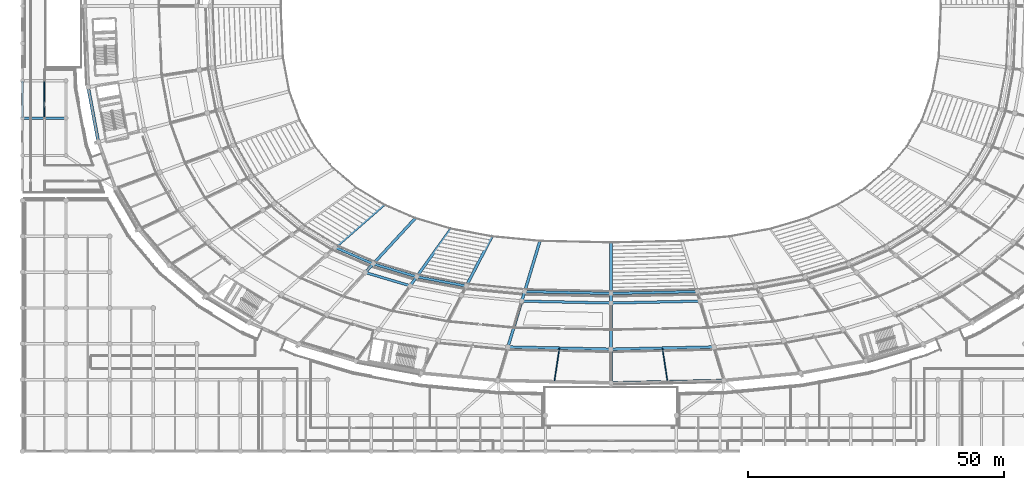
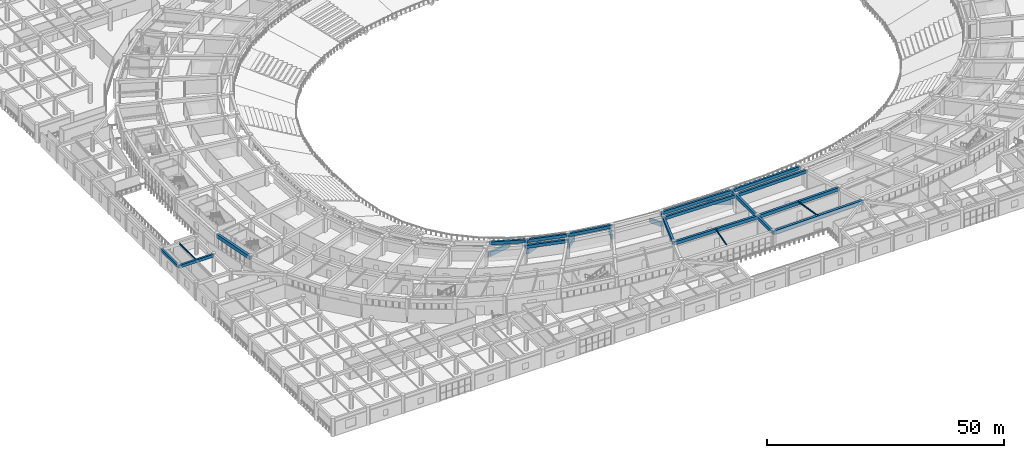
# One storey, part 25 of 152: 30 beams.
"""IFC4 building model written with IfcOpenShell, lengths in metres."""

from ifc_helpers import new_model, si_unit, direction, frame, origin, origin_2d, place, context, subcontext, project, spatial, rectangle, i_section, extrude, material, material_profile, profile_set, type_object, element, save


model = new_model("IFC4")

# Units and contexts
model_context = context("Model", 3, precision=1e-05, world=origin(), true_north=direction((0.0, 1.0)))
body_context = subcontext(model_context, "Body", "Model", "MODEL_VIEW")
ifc_project = project(units=[si_unit("LENGTHUNIT", "METRE"), si_unit("AREAUNIT", "SQUARE_METRE"), si_unit("VOLUMEUNIT", "CUBIC_METRE"), si_unit("PLANEANGLEUNIT", "RADIAN"), si_unit("MASSUNIT", "GRAM", prefix="KILO")], contexts=[model_context])

# Site, building, storey
site_placement = place(None, origin())
site = spatial("IfcSite", under=ifc_project, at=site_placement, CompositionType="ELEMENT")
building_placement = place(site_placement, origin())
building = spatial("IfcBuilding", under=site, at=building_placement, Name="Mphavela Belvedere Stadium", CompositionType="ELEMENT")
storey_placement = place(building_placement, frame((0.0, 0.0, 5.39990234375)))
storey = spatial("IfcBuildingStorey", under=building, at=storey_placement, Name="L01", CompositionType="ELEMENT", Elevation=5.39990234375)

# Beams
ifc_material_1 = material(Name="Concrete C40/50", Category="concrete")
ifc_material_profile_1 = material_profile(ifc_material_1, rectangle(XDim=0.60009765625, YDim=0.949951171875, at=origin_2d()), Name="RC 600x950")
ifc_profile_set_1 = profile_set([ifc_material_profile_1], Name="Concrete C40/50")
beam_type_1 = type_object("IfcBeamType", Name="BM-ENTABLATURE-950", PredefinedType="SPANDREL", material=ifc_profile_set_1)
beam_1_placement = place(storey_placement, frame((12.844482421875, 71.155029296875, 4.0751953125), z_axis=(0.18264260648, -0.983179372393, 0.0), x_axis=(0.983179372393, 0.18264260648, 0.0)))
element("IfcBeam", 1, at=beam_1_placement, inside=storey, type_object=beam_type_1, Name="Circumferential girder L01 R4-26", PredefinedType="SPANDREL", context=body_context, shape_type="SweptSolid", body=[
    extrude(rectangle(XDim=0.60009765625, YDim=0.949951171875, at=origin_2d()), origin(), (0.0, 0.0, 1.0), 10.90087890625),
])
beam_2_placement = place(storey_placement, frame((115.0, 13.330078125, 4.0751953125), z_axis=(0.999768359718, 0.021522706765, 0.0), x_axis=(-0.021522706765, 0.999768359718, 0.0)))
element("IfcBeam", 2, at=beam_2_placement, inside=storey, type_object=beam_type_1, Name="Circumferential girder L01 R4-37", PredefinedType="SPANDREL", context=body_context, shape_type="SweptSolid", body=[
    extrude(rectangle(XDim=0.60009765625, YDim=0.949951171875, at=origin_2d()), origin(), (0.0, 0.0, 1.0), 22.11962890625),
])
ifc_material_2 = material(Name="Steel S355", Category="steel")
ifc_material_profile_2 = material_profile(ifc_material_2, i_section(OverallWidth=0.169921875, OverallDepth=0.360107421875, WebThickness=0.008056640625, FlangeThickness=0.0126953125, at=origin_2d()), Name="IPE 360")
ifc_profile_set_2 = profile_set([ifc_material_profile_2], Name="Steel S355")
beam_type_2 = type_object("IfcBeamType", Name="BM-JOIST-IPE360", PredefinedType="JOIST", material=ifc_profile_set_2)
beam_3_placement = place(storey_placement, frame((125.06640625, 20.1494140625, 4.3701171875), z_axis=(0.14889470473, -0.988853056274, 0.0), x_axis=(0.988853056274, 0.14889470473, 0.0)))
element("IfcBeam", 3, at=beam_3_placement, inside=storey, type_object=beam_type_2, Name="Concourse floor joist L01-37", PredefinedType="JOIST", context=body_context, shape_type="SweptSolid", body=[
    extrude(i_section(OverallWidth=0.169921875, OverallDepth=0.360107421875, WebThickness=0.008056640625, FlangeThickness=0.0126953125, at=origin_2d()), origin(), (0.0, 0.0, 1.0), 6.655517578125),
])
beam_4_placement = place(storey_placement, frame((4.25, 65.324951171875, 4.360107421875), z_axis=(0.0, 1.0, 0.0), x_axis=(-1.0, 0.0, 0.0)))
element("IfcBeam", 4, at=beam_4_placement, inside=storey, type_object=beam_type_2, Name="West Planted Eaves Peristyle Colonnade secondary joist L01 1-3", PredefinedType="JOIST", context=body_context, shape_type="SweptSolid", body=[
    extrude(i_section(OverallWidth=0.169921875, OverallDepth=0.360107421875, WebThickness=0.008056640625, FlangeThickness=0.0126953125, at=origin_2d()), origin(), (0.0, 0.0, 1.0), 6.85009765625),
])
ifc_material_3 = material(Name="Steel S355", Category="steel")
ifc_material_profile_3 = material_profile(ifc_material_3, i_section(OverallWidth=0.179931640625, OverallDepth=0.39990234375, WebThickness=0.008544921875, FlangeThickness=0.013427734375, at=origin_2d()), Name="IPE 400")
ifc_profile_set_3 = profile_set([ifc_material_profile_3], Name="Steel S355")
beam_type_3 = type_object("IfcBeamType", Name="BM-JOIST-IPE400", PredefinedType="JOIST", material=ifc_profile_set_3)
beam_5_placement = place(storey_placement, frame((104.93359375, 20.1494140625, 4.35009765625), z_axis=(-0.14889470473, -0.988853056274, 0.0), x_axis=(0.988853056274, -0.14889470473, 0.0)))
element("IfcBeam", 5, at=beam_5_placement, inside=storey, type_object=beam_type_3, Name="Concourse floor joist L01-36", PredefinedType="JOIST", context=body_context, shape_type="SweptSolid", body=[
    extrude(i_section(OverallWidth=0.179931640625, OverallDepth=0.39990234375, WebThickness=0.008544921875, FlangeThickness=0.013427734375, at=origin_2d()), origin(), (0.0, 0.0, 1.0), 6.655517578125),
])
ifc_material_4 = material(Name="Precast concrete C45/55", Category="concrete")
ifc_material_profile_4 = material_profile(ifc_material_4, rectangle(XDim=0.550048828125, YDim=1.0, at=origin_2d()), Name="PC 550x1000")
ifc_profile_set_4 = profile_set([ifc_material_profile_4], Name="Precast concrete C45/55")
beam_type_4 = type_object("IfcBeamType", Name="BM-RAKER-LOWER", PredefinedType="USERDEFINED", material=ifc_profile_set_4)
beam_6_placement = place(storey_placement, frame((70.648193359375, 48.19091796875, -4.75), z_axis=(-0.680192771022, -0.595170851122, 0.427912902615), x_axis=(0.65850597174, -0.752575501317, 0.0)))
element("IfcBeam", 6, at=beam_6_placement, inside=storey, type_object=beam_type_4, Name="Lower tier precast raker beam RK-L-32", ObjectType="RAKER BEAM", PredefinedType="USERDEFINED", context=body_context, shape_type="SweptSolid", body=[
    extrude(rectangle(XDim=0.550048828125, YDim=1.0, at=origin_2d()), origin(), (0.0, 0.0, 1.0), 14.021484375),
])
beam_7_placement = place(storey_placement, frame((76.770263671875, 45.537109375, -4.75), z_axis=(-0.607566883797, -0.65895529212, 0.443441545979), x_axis=(0.735192313072, -0.677858586138, 0.0)))
element("IfcBeam", 7, at=beam_7_placement, inside=storey, type_object=beam_type_4, Name="Lower tier precast raker beam RK-L-33", ObjectType="RAKER BEAM", PredefinedType="USERDEFINED", context=body_context, shape_type="SweptSolid", body=[
    extrude(rectangle(XDim=0.550048828125, YDim=1.0, at=origin_2d()), origin(), (0.0, 0.0, 1.0), 13.530517578125),
])
beam_8_placement = place(storey_placement, frame((83.7568359375, 43.46337890625, -4.75), z_axis=(-0.517134900081, -0.720613830932, 0.461830273789), x_axis=(0.81244596432, -0.583036495479, 0.0)))
element("IfcBeam", 8, at=beam_8_placement, inside=storey, type_object=beam_type_4, Name="Lower tier precast raker beam RK-L-34", ObjectType="RAKER BEAM", PredefinedType="USERDEFINED", context=body_context, shape_type="SweptSolid", body=[
    extrude(rectangle(XDim=0.550048828125, YDim=1.0, at=origin_2d()), origin(), (0.0, 0.0, 1.0), 12.99169921875),
])
beam_9_placement = place(storey_placement, frame((91.741943359375, 41.97607421875, -4.75), z_axis=(-0.402030633593, -0.778292840439, 0.482319006648), x_axis=(0.888466560259, -0.458941359329, 0.0)))
element("IfcBeam", 9, at=beam_9_placement, inside=storey, type_object=beam_type_4, Name="Lower tier precast raker beam RK-L-35", ObjectType="RAKER BEAM", PredefinedType="USERDEFINED", context=body_context, shape_type="SweptSolid", body=[
    extrude(rectangle(XDim=0.550048828125, YDim=1.0, at=origin_2d()), origin(), (0.0, 0.0, 1.0), 12.43994140625),
])
beam_10_placement = place(storey_placement, frame((101.126220703125, 41.081298828125, -4.75), z_axis=(-0.250007753773, -0.827460196511, 0.502797917899), x_axis=(0.957260966392, -0.289225590538, 0.0)))
element("IfcBeam", 10, at=beam_10_placement, inside=storey, type_object=beam_type_4, Name="Lower tier precast raker beam RK-L-36", ObjectType="RAKER BEAM", PredefinedType="USERDEFINED", context=body_context, shape_type="SweptSolid", body=[
    extrude(rectangle(XDim=0.550048828125, YDim=1.0, at=origin_2d()), origin(), (0.0, 0.0, 1.0), 11.93310546875),
])
beam_11_placement = place(storey_placement, frame((115.0, 40.782470703125, -4.75), z_axis=(0.0, -0.856086917371, 0.516831877796), x_axis=(1.0, 0.0, 0.0)))
element("IfcBeam", 11, at=beam_11_placement, inside=storey, type_object=beam_type_4, Name="Lower tier precast raker beam RK-L-37", ObjectType="RAKER BEAM", PredefinedType="USERDEFINED", context=body_context, shape_type="SweptSolid", body=[
    extrude(rectangle(XDim=0.550048828125, YDim=1.0, at=origin_2d()), origin(), (0.0, 0.0, 1.0), 11.609130859375),
])
ifc_material_5 = material(Name="Concrete C40/50", Category="concrete")
ifc_material_profile_5 = material_profile(ifc_material_5, rectangle(XDim=0.449951171875, YDim=0.75, at=origin_2d()), Name="RC 450x750")
ifc_profile_set_5 = profile_set([ifc_material_profile_5], Name="Concrete C40/50")
beam_type_5 = type_object("IfcBeamType", Name="BM-RC450x750", PredefinedType="BEAM", material=ifc_profile_set_5)
beam_12_placement = place(storey_placement, frame((0.0, 65.10009765625, 4.1650390625), z_axis=(1.0, 0.0, 0.0), x_axis=(0.0, 1.0, 0.0)))
element("IfcBeam", 12, at=beam_12_placement, inside=storey, type_object=beam_type_5, Name="West Planted Eaves Peristyle Colonnade entablature beam X L01 1-3", PredefinedType="BEAM", context=body_context, shape_type="SweptSolid", body=[
    extrude(rectangle(XDim=0.449951171875, YDim=0.75, at=origin_2d()), origin(), (0.0, 0.0, 1.0), 8.5),
])
beam_13_placement = place(storey_placement, frame((0.0, 65.10009765625, 4.1650390625), z_axis=(0.0, 1.0, 0.0), x_axis=(-1.0, 0.0, 0.0)))
element("IfcBeam", 13, at=beam_13_placement, inside=storey, type_object=beam_type_5, Name="West Planted Eaves Peristyle Colonnade entablature beam Y L01 1-3", PredefinedType="BEAM", context=body_context, shape_type="SweptSolid", body=[
    extrude(rectangle(XDim=0.449951171875, YDim=0.75, at=origin_2d()), origin(), (0.0, 0.0, 1.0), 7.2998046875),
])
ifc_material_6 = material(Name="Concrete C40/50", Category="concrete")
ifc_material_profile_6 = material_profile(ifc_material_6, rectangle(XDim=0.5, YDim=0.800048828125, at=origin_2d()), Name="RC 500x800")
ifc_profile_set_6 = profile_set([ifc_material_profile_6], Name="Concrete C40/50")
beam_type_6 = type_object("IfcBeamType", Name="BM-RC500x800", PredefinedType="BEAM", material=ifc_profile_set_6)
beam_14_placement = place(storey_placement, frame((61.11083984375, 39.845703125, 4.150146484375), z_axis=(0.917503251148, -0.397728279273, 0.0), x_axis=(0.397728279273, 0.917503251148, 0.0)))
element("IfcBeam", 14, at=beam_14_placement, inside=storey, type_object=beam_type_6, Name="Circumferential girder L01 R1-32", PredefinedType="BEAM", context=body_context, shape_type="SweptSolid", body=[
    extrude(rectangle(XDim=0.5, YDim=0.800048828125, at=origin_2d()), origin(), (0.0, 0.0, 1.0), 8.107666015625),
])
beam_15_placement = place(storey_placement, frame((68.549560546875, 36.62109375, 4.150146484375), z_axis=(0.958656973737, -0.284564240033, 0.0), x_axis=(0.284564240033, 0.958656973737, 0.0)))
element("IfcBeam", 15, at=beam_15_placement, inside=storey, type_object=beam_type_6, Name="Circumferential girder L01 R1-33", PredefinedType="BEAM", context=body_context, shape_type="SweptSolid", body=[
    extrude(rectangle(XDim=0.5, YDim=0.800048828125, at=origin_2d()), origin(), (0.0, 0.0, 1.0), 8.854736328125),
])
beam_16_placement = place(storey_placement, frame((66.997314453125, 34.9375, 4.150146484375), z_axis=(0.958656419443, -0.284566107363, 0.0), x_axis=(0.284566107363, 0.958656419443, 0.0)))
element("IfcBeam", 16, at=beam_16_placement, inside=storey, type_object=beam_type_6, Name="Circumferential girder L01 R2-33", PredefinedType="BEAM", context=body_context, shape_type="SweptSolid", body=[
    extrude(rectangle(XDim=0.5, YDim=0.800048828125, at=origin_2d()), origin(), (0.0, 0.0, 1.0), 9.15087890625),
])
beam_17_placement = place(storey_placement, frame((77.038330078125, 34.101318359375, 4.150146484375), z_axis=(0.983092994202, -0.183106976248, 0.0), x_axis=(0.183106976248, 0.983092994202, 0.0)))
element("IfcBeam", 17, at=beam_17_placement, inside=storey, type_object=beam_type_6, Name="Circumferential girder L01 R1-34", PredefinedType="BEAM", context=body_context, shape_type="SweptSolid", body=[
    extrude(rectangle(XDim=0.5, YDim=0.800048828125, at=origin_2d()), origin(), (0.0, 0.0, 1.0), 9.869140625),
])
beam_18_placement = place(storey_placement, frame((98.142822265625, 31.20703125, 4.150146484375), z_axis=(0.9997681798, -0.021531062658, 0.0), x_axis=(0.021531062658, 0.9997681798, 0.0)))
element("IfcBeam", 18, at=beam_18_placement, inside=storey, type_object=beam_type_6, Name="Circumferential girder L01 R1-36", PredefinedType="BEAM", context=body_context, shape_type="SweptSolid", body=[
    extrude(rectangle(XDim=0.5, YDim=0.800048828125, at=origin_2d()), origin(), (0.0, 0.0, 1.0), 16.861083984375),
])
beam_19_placement = place(storey_placement, frame((97.57958984375, 29.342529296875, 4.150146484375), z_axis=(0.999768385959, -0.021521487805, 0.0), x_axis=(0.021521487805, 0.999768385959, 0.0)))
element("IfcBeam", 19, at=beam_19_placement, inside=storey, type_object=beam_type_6, Name="Circumferential girder L01 R2-36", PredefinedType="BEAM", context=body_context, shape_type="SweptSolid", body=[
    extrude(rectangle(XDim=0.5, YDim=0.800048828125, at=origin_2d()), origin(), (0.0, 0.0, 1.0), 17.424560546875),
])
beam_20_placement = place(storey_placement, frame((115.0, 30.843994140625, 4.150146484375), z_axis=(0.9997681798, 0.021531062658, 0.0), x_axis=(-0.021531062658, 0.9997681798, 0.0)))
element("IfcBeam", 20, at=beam_20_placement, inside=storey, type_object=beam_type_6, Name="Circumferential girder L01 R1-37", PredefinedType="BEAM", context=body_context, shape_type="SweptSolid", body=[
    extrude(rectangle(XDim=0.5, YDim=0.800048828125, at=origin_2d()), origin(), (0.0, 0.0, 1.0), 16.861083984375),
])
beam_21_placement = place(storey_placement, frame((115.0, 28.967529296875, 4.150146484375), z_axis=(0.999768385959, 0.021521487805, 0.0), x_axis=(-0.021521487805, 0.999768385959, 0.0)))
element("IfcBeam", 21, at=beam_21_placement, inside=storey, type_object=beam_type_6, Name="Circumferential girder L01 R2-37", PredefinedType="BEAM", context=body_context, shape_type="SweptSolid", body=[
    extrude(rectangle(XDim=0.5, YDim=0.800048828125, at=origin_2d()), origin(), (0.0, 0.0, 1.0), 17.424560546875),
])
ifc_material_7 = material(Name="Concrete C40/50", Category="concrete")
ifc_material_profile_7 = material_profile(ifc_material_7, rectangle(XDim=0.550048828125, YDim=0.85009765625, at=origin_2d()), Name="RC 550x850")
ifc_profile_set_7 = profile_set([ifc_material_profile_7], Name="Concrete C40/50")
beam_type_7 = type_object("IfcBeamType", Name="BM-RC550x850", PredefinedType="BEAM", material=ifc_profile_set_7)
beam_22_placement = place(storey_placement, frame((68.549560546875, 36.62109375, 4.125), z_axis=(-0.677846038514, -0.735203881975, 0.0), x_axis=(0.735203881975, -0.677846038514, 0.0)))
element("IfcBeam", 22, at=beam_22_placement, inside=storey, type_object=beam_type_7, Name="Radial concourse girder L01 R1R2-33", PredefinedType="BEAM", context=body_context, shape_type="SweptSolid", body=[
    extrude(rectangle(XDim=0.550048828125, YDim=0.85009765625, at=origin_2d()), origin(), (0.0, 0.0, 1.0), 2.2900390625),
])
beam_23_placement = place(storey_placement, frame((77.038330078125, 34.101318359375, 4.125), z_axis=(-0.583009326667, -0.812465460816, 0.0), x_axis=(0.812465460816, -0.583009326667, 0.0)))
element("IfcBeam", 23, at=beam_23_placement, inside=storey, type_object=beam_type_7, Name="Radial concourse girder L01 R1R2-34", PredefinedType="BEAM", context=body_context, shape_type="SweptSolid", body=[
    extrude(rectangle(XDim=0.550048828125, YDim=0.85009765625, at=origin_2d()), origin(), (0.0, 0.0, 1.0), 2.17578125),
])
beam_24_placement = place(storey_placement, frame((94.8671875, 20.365966796875, 4.125), z_axis=(0.999768427465, -0.02151955955, 0.0), x_axis=(0.02151955955, 0.999768427465, 0.0)))
element("IfcBeam", 24, at=beam_24_placement, inside=storey, type_object=beam_type_7, Name="Circumferential girder L01 R3-36", PredefinedType="BEAM", context=body_context, shape_type="SweptSolid", body=[
    extrude(rectangle(XDim=0.550048828125, YDim=0.85009765625, at=origin_2d()), origin(), (0.0, 0.0, 1.0), 20.137451171875),
])
beam_25_placement = place(storey_placement, frame((98.142822265625, 31.20703125, 4.125), z_axis=(-0.289175820075, -0.957276002563, 0.0), x_axis=(0.957276002563, -0.289175820075, 0.0)))
element("IfcBeam", 25, at=beam_25_placement, inside=storey, type_object=beam_type_7, Name="Radial concourse girder L01 R1R2-36", PredefinedType="BEAM", context=body_context, shape_type="SweptSolid", body=[
    extrude(rectangle(XDim=0.550048828125, YDim=0.85009765625, at=origin_2d()), origin(), (0.0, 0.0, 1.0), 1.94775390625),
])
beam_26_placement = place(storey_placement, frame((97.57958984375, 29.342529296875, 4.125), z_axis=(-0.289248589313, -0.95725401727, 0.0), x_axis=(0.95725401727, -0.289248589313, 0.0)))
element("IfcBeam", 26, at=beam_26_placement, inside=storey, type_object=beam_type_7, Name="Radial concourse girder L01 R2R3-36", PredefinedType="BEAM", context=body_context, shape_type="SweptSolid", body=[
    extrude(rectangle(XDim=0.550048828125, YDim=0.85009765625, at=origin_2d()), origin(), (0.0, 0.0, 1.0), 9.37744140625),
])
beam_27_placement = place(storey_placement, frame((115.0, 19.9326171875, 4.125), z_axis=(0.999768427465, 0.02151955955, 0.0), x_axis=(-0.02151955955, 0.999768427465, 0.0)))
element("IfcBeam", 27, at=beam_27_placement, inside=storey, type_object=beam_type_7, Name="Circumferential girder L01 R3-37", PredefinedType="BEAM", context=body_context, shape_type="SweptSolid", body=[
    extrude(rectangle(XDim=0.550048828125, YDim=0.85009765625, at=origin_2d()), origin(), (0.0, 0.0, 1.0), 20.137451171875),
])
beam_28_placement = place(storey_placement, frame((115.0, 30.843994140625, 4.125), z_axis=(0.0, -1.0, 0.0), x_axis=(1.0, 0.0, 0.0)))
element("IfcBeam", 28, at=beam_28_placement, inside=storey, type_object=beam_type_7, Name="Radial concourse girder L01 R1R2-37", PredefinedType="BEAM", context=body_context, shape_type="SweptSolid", body=[
    extrude(rectangle(XDim=0.550048828125, YDim=0.85009765625, at=origin_2d()), origin(), (0.0, 0.0, 1.0), 1.87646484375),
])
beam_29_placement = place(storey_placement, frame((115.0, 28.967529296875, 4.125), z_axis=(0.0, -1.0, 0.0), x_axis=(1.0, 0.0, 0.0)))
element("IfcBeam", 29, at=beam_29_placement, inside=storey, type_object=beam_type_7, Name="Radial concourse girder L01 R2R3-37", PredefinedType="BEAM", context=body_context, shape_type="SweptSolid", body=[
    extrude(rectangle(XDim=0.550048828125, YDim=0.85009765625, at=origin_2d()), origin(), (0.0, 0.0, 1.0), 9.034912109375),
])
beam_30_placement = place(storey_placement, frame((115.0, 19.9326171875, 4.125), z_axis=(0.0, -1.0, 0.0), x_axis=(1.0, 0.0, 0.0)))
element("IfcBeam", 30, at=beam_30_placement, inside=storey, type_object=beam_type_7, Name="Radial concourse girder L01 R3R4-37", PredefinedType="BEAM", context=body_context, shape_type="SweptSolid", body=[
    extrude(rectangle(XDim=0.550048828125, YDim=0.85009765625, at=origin_2d()), origin(), (0.0, 0.0, 1.0), 6.6025390625),
])

save(model, "model.ifc")
